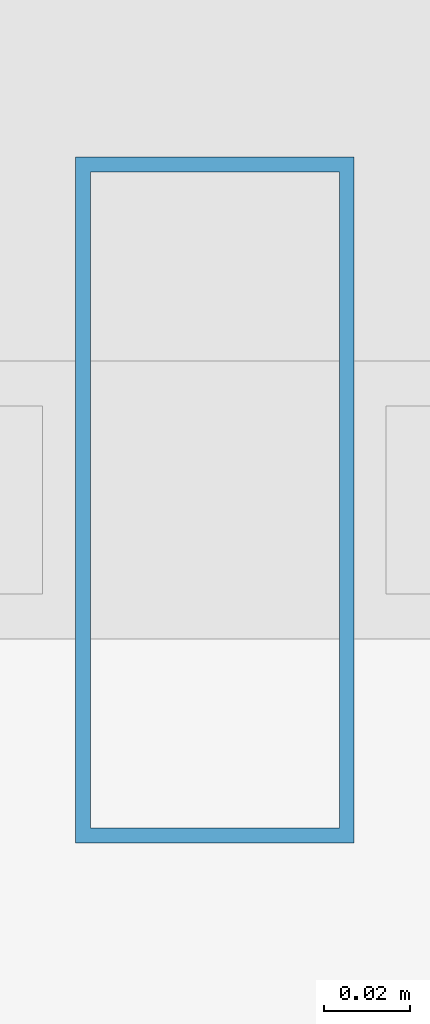
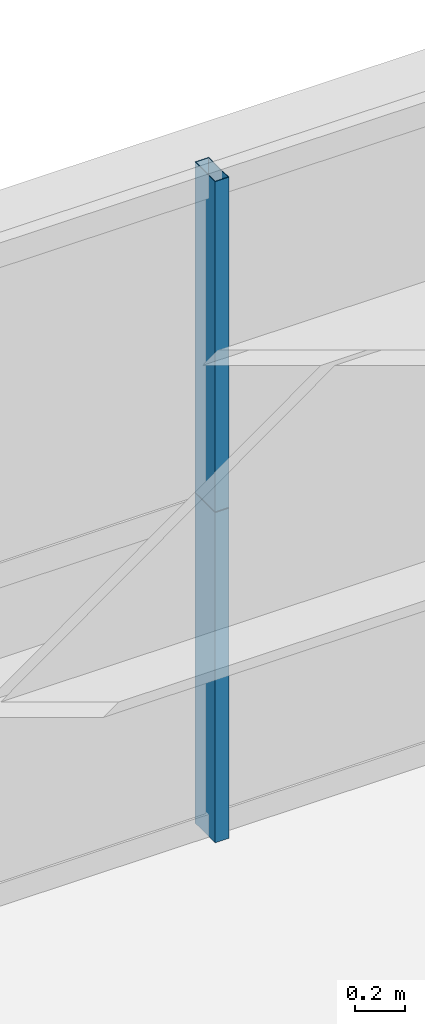
# One storey, part 26 of 39: 2 members, 1 element without a shape of its own.
"""IFC4 building model written with IfcOpenShell, lengths in metres."""

from ifc_helpers import new_model, si_unit, direction, frame, origin, origin_2d, place, context, subcontext, project, spatial, hollow_rectangle, extrude, source, transform, mapped, material, layer, layer_set, material_profile, profile_set, type_object, element, aggregate, save


model = new_model("IFC4")

# Units and contexts
model_context = context("Model", 3, precision=1e-05, world=origin(), true_north=direction((0.0, 1.0)))
body_context = subcontext(model_context, "Body", "Model", "MODEL_VIEW")
ifc_project = project(units=[si_unit("LENGTHUNIT", "METRE"), si_unit("AREAUNIT", "SQUARE_METRE"), si_unit("VOLUMEUNIT", "CUBIC_METRE"), si_unit("PLANEANGLEUNIT", "RADIAN"), si_unit("MASSUNIT", "GRAM", prefix="KILO"), si_unit("THERMODYNAMICTEMPERATUREUNIT", "KELVIN"), si_unit("POWERUNIT", "WATT")], contexts=[model_context])

# Site, building, storey
site_placement = place(None, origin())
site = spatial("IfcSite", under=ifc_project, at=site_placement, CompositionType="ELEMENT")
building_placement = place(site_placement, origin())
building = spatial("IfcBuilding", under=site, at=building_placement, Name="Yuzanri Waterfront Tower", CompositionType="ELEMENT")
storey_placement = place(building_placement, frame((0.0, 0.0, 216.0)))
storey = spatial("IfcBuildingStorey", under=building, at=storey_placement, Name="L57", CompositionType="ELEMENT", Elevation=216.0)

# Curtain wall, members
ifc_material_1 = material(Name="Anodized Architectural Bronze", Category="metal")
ifc_layer = layer(ifc_material_1, 0.159912109375)
ifc_layer_set = layer_set([ifc_layer], Name="Anodized Architectural Bronze")
curtain_wall_type = type_object("IfcCurtainWallType", Name="Anodized Bronze Mid-Rise Residential Acoustic Unitized Curtain Wall 7200", PredefinedType="NOTDEFINED", material=ifc_layer_set)
curtain_wall_placement = place(storey_placement, origin())
curtain_wall = element("IfcCurtainWall", 1, at=curtain_wall_placement, inside=storey, type_object=curtain_wall_type, Name="L57 Curtain Wall CW-L57-NL", PredefinedType="NOTDEFINED")
ifc_material_2 = material(Name="Anodized Architectural Bronze", Category="metal")
ifc_material_profile = material_profile(ifc_material_2, hollow_rectangle(XDim=0.06494140625, YDim=0.159912109375, WallThickness=0.00341796875, at=origin_2d()), Name="CWM 65x160")
ifc_profile_set = profile_set([ifc_material_profile], Name="Anodized Architectural Bronze")
member_type = type_object("IfcMemberType", Name="Anodized Bronze Upper-Zone Curtain-Wall Mullion 65x160", PredefinedType="MULLION", material=ifc_profile_set)
shared_shape = source(origin(), body_context, "Body", "SweptSolid", [
    extrude(hollow_rectangle(XDim=0.06494140625, YDim=0.159912109375, WallThickness=0.00341796875, at=origin_2d()), origin(), (0.0, 0.0, 1.0), 1.60791015625),
])
member_1_placement = place(storey_placement, frame((29.425048828125, 47.75, 0.0), z_axis=(0.0, 0.0, 1.0), x_axis=(1.0, 0.0, 0.0)))
member_1 = element("IfcMember", 2, at=member_1_placement, type_object=member_type, Name="CW-L57-NL Lower Mullion 01", PredefinedType="MULLION", context=body_context, shape_type="MappedRepresentation", body=[
    mapped(shared_shape, transform((0.0, 0.0, 0.0), scale=1.0)),
])
member_2_placement = place(storey_placement, frame((29.425048828125, 47.75, 1.612060546875), z_axis=(0.0, 0.0, 1.0), x_axis=(1.0, 0.0, 0.0)))
member_2 = element("IfcMember", 3, at=member_2_placement, type_object=member_type, Name="CW-L57-NL Upper Mullion 01", PredefinedType="MULLION", context=body_context, shape_type="MappedRepresentation", body=[
    mapped(shared_shape, transform((0.0, 0.0, 0.0), scale=1.0)),
])
aggregate(curtain_wall, [member_1, member_2])

save(model, "model.ifc")
